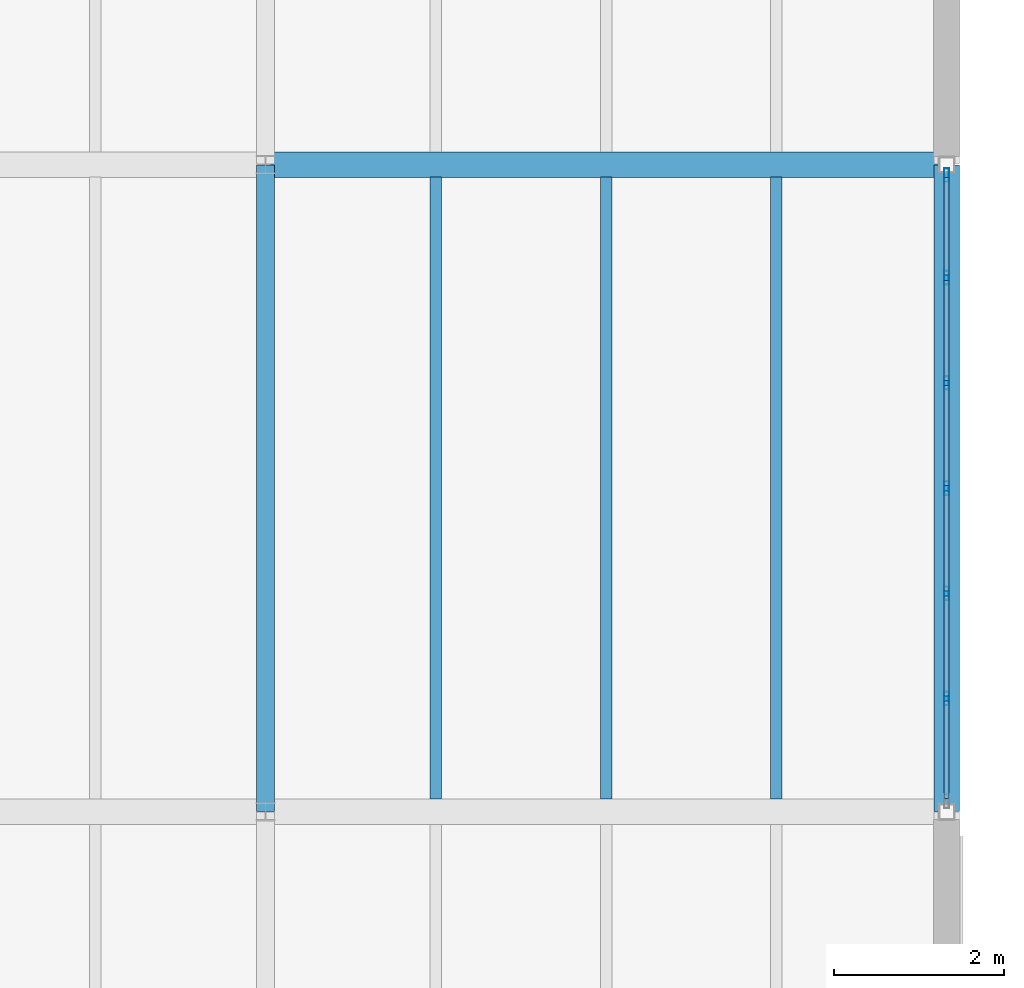
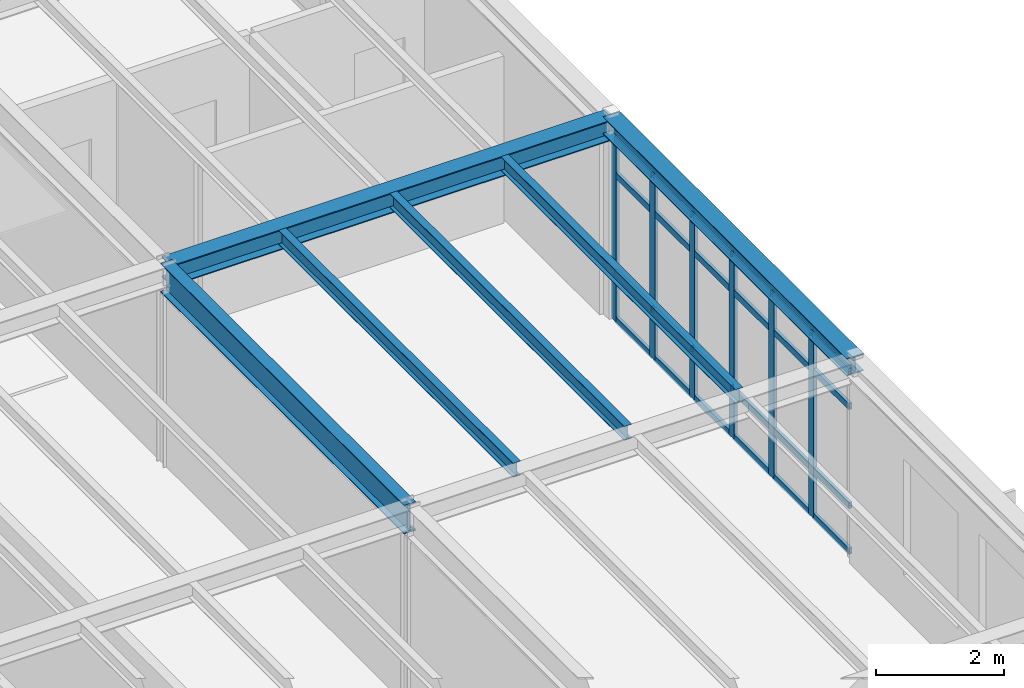
# One storey, part 33 of 65: 30 members, 6 beams, 1 element without a shape of its own.
"""IFC4 building model written with IfcOpenShell, lengths in metres."""

from ifc_helpers import new_model, si_unit, direction, frame, origin, origin_2d, place, context, subcontext, project, spatial, hollow_rectangle, i_section, extrude, material, layer, layer_set, material_profile, profile_set, type_object, element, aggregate, save


model = new_model("IFC4")

# Units and contexts
model_context = context("Model", 3, precision=1e-05, world=origin(), true_north=direction((0.0, 1.0)))
body_context = subcontext(model_context, "Body", "Model", "MODEL_VIEW")
ifc_project = project(units=[si_unit("LENGTHUNIT", "METRE"), si_unit("AREAUNIT", "SQUARE_METRE"), si_unit("VOLUMEUNIT", "CUBIC_METRE"), si_unit("PLANEANGLEUNIT", "RADIAN"), si_unit("MASSUNIT", "GRAM", prefix="KILO")], contexts=[model_context])

# Site, building, storey
site_placement = place(None, origin())
site = spatial("IfcSite", under=ifc_project, at=site_placement, CompositionType="ELEMENT")
building_placement = place(site_placement, origin())
building = spatial("IfcBuilding", under=site, at=building_placement, Name="Montecoro Central Library", CompositionType="ELEMENT")
storey_placement = place(building_placement, frame((0.0, 0.0, 17.340087890625)))
storey = spatial("IfcBuildingStorey", under=building, at=storey_placement, Name="L04", CompositionType="ELEMENT", Elevation=17.340087890625)

# Beams
ifc_material_1 = material(Name="Steel S355", Category="steel")
ifc_material_profile_1 = material_profile(ifc_material_1, i_section(OverallWidth=0.300048828125, OverallDepth=0.389892578125, WebThickness=0.010986328125, FlangeThickness=0.01904296875, at=origin_2d()), Name="HEA 400")
ifc_profile_set_1 = profile_set([ifc_material_profile_1], Name="Steel S355")
beam_type_1 = type_object("IfcBeamType", Name="BM-G-HEA400", PredefinedType="USERDEFINED", material=ifc_profile_set_1)
beam_1_placement = place(storey_placement, frame((165.0048828125, 27.800048828125, 3.6298828125), z_axis=(1.0, 0.0, 0.0), x_axis=(0.0, 1.0, 0.0)))
element("IfcBeam", 1, at=beam_1_placement, inside=storey, type_object=beam_type_1, Name="V6-L04-BX-2122-D", ObjectType="GIRDER", PredefinedType="USERDEFINED", context=body_context, shape_type="SweptSolid", body=[
    extrude(i_section(OverallWidth=0.300048828125, OverallDepth=0.389892578125, WebThickness=0.010986328125, FlangeThickness=0.01904296875, at=origin_2d()), origin(), (0.0, 0.0, 1.0), 7.990234375),
])
ifc_material_2 = material(Name="Steel S355J2", Category="steel")
ifc_material_profile_2 = material_profile(ifc_material_2, i_section(OverallWidth=0.2099609375, OverallDepth=0.550048828125, WebThickness=0.010986328125, FlangeThickness=0.01708984375, at=origin_2d()), Name="IPE 550")
ifc_profile_set_2 = profile_set([ifc_material_profile_2], Name="Steel S355J2")
beam_type_2 = type_object("IfcBeamType", Name="BM-G-IPE550", PredefinedType="USERDEFINED", material=ifc_profile_set_2)
beam_2_placement = place(storey_placement, frame((165.0, 20.205078125, 3.5498046875), z_axis=(0.0, 1.0, 0.0), x_axis=(-1.0, 0.0, 0.0)))
element("IfcBeam", 2, at=beam_2_placement, inside=storey, type_object=beam_type_2, Name="V6-L04-BY-21-CD", ObjectType="GIRDER", PredefinedType="USERDEFINED", context=body_context, shape_type="SweptSolid", body=[
    extrude(i_section(OverallWidth=0.2099609375, OverallDepth=0.550048828125, WebThickness=0.010986328125, FlangeThickness=0.01708984375, at=origin_2d()), origin(), (0.0, 0.0, 1.0), 7.58984375),
])
ifc_material_profile_3 = material_profile(ifc_material_1, i_section(OverallWidth=0.135009765625, OverallDepth=0.27001953125, WebThickness=0.006591796875, FlangeThickness=0.01025390625, at=origin_2d()), Name="IPE 270")
ifc_profile_set_3 = profile_set([ifc_material_profile_3], Name="Steel S355")
beam_type_3 = type_object("IfcBeamType", Name="BM-J-IPE270", PredefinedType="JOIST", material=ifc_profile_set_3)
for number, where, z_axis, x_axis, name in (
    (3, (167.0, 20.346923828125, 3.68994140625), (0.0, 1.0, 0.0), (-1.0, 0.0, 0.0), "V6-L04-JS-2122-CD-1"),
    (4, (169.0, 20.346923828125, 3.68994140625), (0.0, 1.0, 0.0), (-1.0, 0.0, 0.0), "V6-L04-JS-2122-CD-2"),
    (5, (171.0, 20.346923828125, 3.68994140625), (0.0, 1.0, 0.0), (-1.0, 0.0, 0.0), "V6-L04-JS-2122-CD-3"),
):
    element("IfcBeam", number, at=place(storey_placement, frame(where, z_axis=z_axis, x_axis=x_axis)), inside=storey, type_object=beam_type_3, Name=name, PredefinedType="JOIST", context=body_context, shape_type="SweptSolid", body=[
        extrude(i_section(OverallWidth=0.135009765625, OverallDepth=0.27001953125, WebThickness=0.006591796875, FlangeThickness=0.01025390625, at=origin_2d()), origin(), (0.0, 0.0, 1.0), 7.30615234375),
    ])
ifc_material_profile_4 = material_profile(ifc_material_1, i_section(OverallWidth=0.300048828125, OverallDepth=0.330078125, WebThickness=0.009521484375, FlangeThickness=0.0166015625, at=origin_2d()), Name="HEA 340")
ifc_profile_set_4 = profile_set([ifc_material_profile_4], Name="Steel S355")
beam_type_4 = type_object("IfcBeamType", Name="BM-SP-HEA340", PredefinedType="SPANDREL", material=ifc_profile_set_4)
beam_3_placement = place(storey_placement, frame((173.0, 20.205078125, 3.659912109375), z_axis=(0.0, 1.0, 0.0), x_axis=(-1.0, 0.0, 0.0)))
element("IfcBeam", 6, at=beam_3_placement, inside=storey, type_object=beam_type_4, Name="V6-L04-BY-22-CD", PredefinedType="SPANDREL", context=body_context, shape_type="SweptSolid", body=[
    extrude(i_section(OverallWidth=0.300048828125, OverallDepth=0.330078125, WebThickness=0.009521484375, FlangeThickness=0.0166015625, at=origin_2d()), origin(), (0.0, 0.0, 1.0), 7.58984375),
])

# Curtain wall, members
ifc_material_3 = material(Name="Bronze-anodised aluminium and low-E glazing", Category="aluminium")
ifc_layer = layer(ifc_material_3, 0.159912109375)
ifc_layer_set = layer_set([ifc_layer], Name="Bronze-anodised aluminium and low-E glazing")
curtain_wall_type = type_object("IfcCurtainWallType", Name="CWT-073", PredefinedType="NOTDEFINED", material=ifc_layer_set)
curtain_wall_placement = place(storey_placement, origin())
curtain_wall = element("IfcCurtainWall", 7, at=curtain_wall_placement, inside=storey, type_object=curtain_wall_type, Name="V6-L04-CW-E2", PredefinedType="NOTDEFINED")
ifc_material_4 = material(Name="Bronze-anodised aluminium", Category="aluminium")
ifc_material_profile_5 = material_profile(ifc_material_4, hollow_rectangle(XDim=0.06005859375, YDim=0.159912109375, WallThickness=0.00390625, at=origin_2d()), Name="CWM 160x60x4.0")
ifc_profile_set_5 = profile_set([ifc_material_profile_5], Name="Bronze-anodised aluminium")
member_type_1 = type_object("IfcMemberType", Name="CWM-BRZ-60", PredefinedType="MULLION", material=ifc_profile_set_5)
member_1_placement = place(storey_placement, frame((173.0, 21.528564453125, 0.0), z_axis=(0.0, 0.0, 1.0), x_axis=(-1.0, 0.0, 0.0)))
member_1 = element("IfcMember", 8, at=member_1_placement, type_object=member_type_1, Name="CW-073 mullion 2", PredefinedType="MULLION", context=body_context, shape_type="SweptSolid", body=[
    extrude(hollow_rectangle(XDim=0.06005859375, YDim=0.159912109375, WallThickness=0.00390625, at=origin_2d()), origin(), (0.0, 0.0, 1.0), 3.47998046875),
])
member_2_placement = place(storey_placement, frame((173.0, 22.764404296875, 0.0), z_axis=(0.0, 0.0, 1.0), x_axis=(-1.0, 0.0, 0.0)))
member_2 = element("IfcMember", 9, at=member_2_placement, type_object=member_type_1, Name="CW-073 mullion 3", PredefinedType="MULLION", context=body_context, shape_type="SweptSolid", body=[
    extrude(hollow_rectangle(XDim=0.06005859375, YDim=0.159912109375, WallThickness=0.00390625, at=origin_2d()), origin(), (0.0, 0.0, 1.0), 3.47998046875),
])
member_3_placement = place(storey_placement, frame((173.0, 24.0, 0.0), z_axis=(0.0, 0.0, 1.0), x_axis=(-1.0, 0.0, 0.0)))
member_3 = element("IfcMember", 10, at=member_3_placement, type_object=member_type_1, Name="CW-073 mullion 4", PredefinedType="MULLION", context=body_context, shape_type="SweptSolid", body=[
    extrude(hollow_rectangle(XDim=0.06005859375, YDim=0.159912109375, WallThickness=0.00390625, at=origin_2d()), origin(), (0.0, 0.0, 1.0), 3.47998046875),
])
member_4_placement = place(storey_placement, frame((173.0, 25.235595703125, 0.0), z_axis=(0.0, 0.0, 1.0), x_axis=(-1.0, 0.0, 0.0)))
member_4 = element("IfcMember", 11, at=member_4_placement, type_object=member_type_1, Name="CW-073 mullion 5", PredefinedType="MULLION", context=body_context, shape_type="SweptSolid", body=[
    extrude(hollow_rectangle(XDim=0.06005859375, YDim=0.159912109375, WallThickness=0.00390625, at=origin_2d()), origin(), (0.0, 0.0, 1.0), 3.47998046875),
])
member_5_placement = place(storey_placement, frame((173.0, 26.471435546875, 0.0), z_axis=(0.0, 0.0, 1.0), x_axis=(-1.0, 0.0, 0.0)))
member_5 = element("IfcMember", 12, at=member_5_placement, type_object=member_type_1, Name="CW-073 mullion 6", PredefinedType="MULLION", context=body_context, shape_type="SweptSolid", body=[
    extrude(hollow_rectangle(XDim=0.06005859375, YDim=0.159912109375, WallThickness=0.00390625, at=origin_2d()), origin(), (0.0, 0.0, 1.0), 3.47998046875),
])
member_6_placement = place(storey_placement, frame((173.0, 27.677001953125, 0.0), z_axis=(0.0, 0.0, 1.0), x_axis=(-1.0, 0.0, 0.0)))
member_6 = element("IfcMember", 13, at=member_6_placement, type_object=member_type_1, Name="CW-073 mullion 7", PredefinedType="MULLION", context=body_context, shape_type="SweptSolid", body=[
    extrude(hollow_rectangle(XDim=0.06005859375, YDim=0.159912109375, WallThickness=0.00390625, at=origin_2d()), origin(), (0.0, 0.0, 1.0), 3.47998046875),
])
ifc_material_profile_6 = material_profile(ifc_material_4, hollow_rectangle(XDim=0.06005859375, YDim=0.1201171875, WallThickness=0.00390625, at=origin_2d()), Name="CWT 120x60x4.0")
ifc_profile_set_6 = profile_set([ifc_material_profile_6], Name="Bronze-anodised aluminium")
member_type_2 = type_object("IfcMemberType", Name="CWT-BRZ-60", PredefinedType="USERDEFINED", material=ifc_profile_set_6)
member_7_placement = place(storey_placement, frame((173.0, 20.35302734375, 0.030029296875), z_axis=(0.0, 1.0, 0.0), x_axis=(-1.0, 0.0, 0.0)))
member_7 = element("IfcMember", 14, at=member_7_placement, type_object=member_type_2, Name="CW-073 transom 1.1", ObjectType="TRANSOM", PredefinedType="USERDEFINED", context=body_context, shape_type="SweptSolid", body=[
    extrude(hollow_rectangle(XDim=0.06005859375, YDim=0.1201171875, WallThickness=0.00390625, at=origin_2d()), origin(), (0.0, 0.0, 1.0), 1.145751953125),
])
member_8_placement = place(storey_placement, frame((173.0, 20.35302734375, 0.89990234375), z_axis=(0.0, 1.0, 0.0), x_axis=(-1.0, 0.0, 0.0)))
member_8 = element("IfcMember", 15, at=member_8_placement, type_object=member_type_2, Name="CW-073 transom 1.2", ObjectType="TRANSOM", PredefinedType="USERDEFINED", context=body_context, shape_type="SweptSolid", body=[
    extrude(hollow_rectangle(XDim=0.06005859375, YDim=0.1201171875, WallThickness=0.00390625, at=origin_2d()), origin(), (0.0, 0.0, 1.0), 1.145751953125),
])
member_9_placement = place(storey_placement, frame((173.0, 20.35302734375, 2.780029296875), z_axis=(0.0, 1.0, 0.0), x_axis=(-1.0, 0.0, 0.0)))
member_9 = element("IfcMember", 16, at=member_9_placement, type_object=member_type_2, Name="CW-073 transom 1.3", ObjectType="TRANSOM", PredefinedType="USERDEFINED", context=body_context, shape_type="SweptSolid", body=[
    extrude(hollow_rectangle(XDim=0.06005859375, YDim=0.1201171875, WallThickness=0.00390625, at=origin_2d()), origin(), (0.0, 0.0, 1.0), 1.145751953125),
])
member_10_placement = place(storey_placement, frame((173.0, 20.35302734375, 3.449951171875), z_axis=(0.0, 1.0, 0.0), x_axis=(-1.0, 0.0, 0.0)))
member_10 = element("IfcMember", 17, at=member_10_placement, type_object=member_type_2, Name="CW-073 transom 1.4", ObjectType="TRANSOM", PredefinedType="USERDEFINED", context=body_context, shape_type="SweptSolid", body=[
    extrude(hollow_rectangle(XDim=0.06005859375, YDim=0.1201171875, WallThickness=0.00390625, at=origin_2d()), origin(), (0.0, 0.0, 1.0), 1.145751953125),
])
member_11_placement = place(storey_placement, frame((173.0, 21.55859375, 0.030029296875), z_axis=(0.0, 1.0, 0.0), x_axis=(-1.0, 0.0, 0.0)))
member_11 = element("IfcMember", 18, at=member_11_placement, type_object=member_type_2, Name="CW-073 transom 2.1", ObjectType="TRANSOM", PredefinedType="USERDEFINED", context=body_context, shape_type="SweptSolid", body=[
    extrude(hollow_rectangle(XDim=0.06005859375, YDim=0.1201171875, WallThickness=0.00390625, at=origin_2d()), origin(), (0.0, 0.0, 1.0), 1.17578125),
])
member_12_placement = place(storey_placement, frame((173.0, 21.55859375, 0.89990234375), z_axis=(0.0, 1.0, 0.0), x_axis=(-1.0, 0.0, 0.0)))
member_12 = element("IfcMember", 19, at=member_12_placement, type_object=member_type_2, Name="CW-073 transom 2.2", ObjectType="TRANSOM", PredefinedType="USERDEFINED", context=body_context, shape_type="SweptSolid", body=[
    extrude(hollow_rectangle(XDim=0.06005859375, YDim=0.1201171875, WallThickness=0.00390625, at=origin_2d()), origin(), (0.0, 0.0, 1.0), 1.17578125),
])
member_13_placement = place(storey_placement, frame((173.0, 21.55859375, 2.780029296875), z_axis=(0.0, 1.0, 0.0), x_axis=(-1.0, 0.0, 0.0)))
member_13 = element("IfcMember", 20, at=member_13_placement, type_object=member_type_2, Name="CW-073 transom 2.3", ObjectType="TRANSOM", PredefinedType="USERDEFINED", context=body_context, shape_type="SweptSolid", body=[
    extrude(hollow_rectangle(XDim=0.06005859375, YDim=0.1201171875, WallThickness=0.00390625, at=origin_2d()), origin(), (0.0, 0.0, 1.0), 1.17578125),
])
member_14_placement = place(storey_placement, frame((173.0, 21.55859375, 3.449951171875), z_axis=(0.0, 1.0, 0.0), x_axis=(-1.0, 0.0, 0.0)))
member_14 = element("IfcMember", 21, at=member_14_placement, type_object=member_type_2, Name="CW-073 transom 2.4", ObjectType="TRANSOM", PredefinedType="USERDEFINED", context=body_context, shape_type="SweptSolid", body=[
    extrude(hollow_rectangle(XDim=0.06005859375, YDim=0.1201171875, WallThickness=0.00390625, at=origin_2d()), origin(), (0.0, 0.0, 1.0), 1.17578125),
])
member_15_placement = place(storey_placement, frame((173.0, 22.79443359375, 0.030029296875), z_axis=(0.0, 1.0, 0.0), x_axis=(-1.0, 0.0, 0.0)))
member_15 = element("IfcMember", 22, at=member_15_placement, type_object=member_type_2, Name="CW-073 transom 3.1", ObjectType="TRANSOM", PredefinedType="USERDEFINED", context=body_context, shape_type="SweptSolid", body=[
    extrude(hollow_rectangle(XDim=0.06005859375, YDim=0.1201171875, WallThickness=0.00390625, at=origin_2d()), origin(), (0.0, 0.0, 1.0), 1.175537109375),
])
member_16_placement = place(storey_placement, frame((173.0, 22.79443359375, 0.89990234375), z_axis=(0.0, 1.0, 0.0), x_axis=(-1.0, 0.0, 0.0)))
member_16 = element("IfcMember", 23, at=member_16_placement, type_object=member_type_2, Name="CW-073 transom 3.2", ObjectType="TRANSOM", PredefinedType="USERDEFINED", context=body_context, shape_type="SweptSolid", body=[
    extrude(hollow_rectangle(XDim=0.06005859375, YDim=0.1201171875, WallThickness=0.00390625, at=origin_2d()), origin(), (0.0, 0.0, 1.0), 1.175537109375),
])
member_17_placement = place(storey_placement, frame((173.0, 22.79443359375, 2.780029296875), z_axis=(0.0, 1.0, 0.0), x_axis=(-1.0, 0.0, 0.0)))
member_17 = element("IfcMember", 24, at=member_17_placement, type_object=member_type_2, Name="CW-073 transom 3.3", ObjectType="TRANSOM", PredefinedType="USERDEFINED", context=body_context, shape_type="SweptSolid", body=[
    extrude(hollow_rectangle(XDim=0.06005859375, YDim=0.1201171875, WallThickness=0.00390625, at=origin_2d()), origin(), (0.0, 0.0, 1.0), 1.175537109375),
])
member_18_placement = place(storey_placement, frame((173.0, 22.79443359375, 3.449951171875), z_axis=(0.0, 1.0, 0.0), x_axis=(-1.0, 0.0, 0.0)))
member_18 = element("IfcMember", 25, at=member_18_placement, type_object=member_type_2, Name="CW-073 transom 3.4", ObjectType="TRANSOM", PredefinedType="USERDEFINED", context=body_context, shape_type="SweptSolid", body=[
    extrude(hollow_rectangle(XDim=0.06005859375, YDim=0.1201171875, WallThickness=0.00390625, at=origin_2d()), origin(), (0.0, 0.0, 1.0), 1.175537109375),
])
member_19_placement = place(storey_placement, frame((173.0, 24.030029296875, 0.030029296875), z_axis=(0.0, 1.0, 0.0), x_axis=(-1.0, 0.0, 0.0)))
member_19 = element("IfcMember", 26, at=member_19_placement, type_object=member_type_2, Name="CW-073 transom 4.1", ObjectType="TRANSOM", PredefinedType="USERDEFINED", context=body_context, shape_type="SweptSolid", body=[
    extrude(hollow_rectangle(XDim=0.06005859375, YDim=0.1201171875, WallThickness=0.00390625, at=origin_2d()), origin(), (0.0, 0.0, 1.0), 1.175537109375),
])
member_20_placement = place(storey_placement, frame((173.0, 24.030029296875, 0.89990234375), z_axis=(0.0, 1.0, 0.0), x_axis=(-1.0, 0.0, 0.0)))
member_20 = element("IfcMember", 27, at=member_20_placement, type_object=member_type_2, Name="CW-073 transom 4.2", ObjectType="TRANSOM", PredefinedType="USERDEFINED", context=body_context, shape_type="SweptSolid", body=[
    extrude(hollow_rectangle(XDim=0.06005859375, YDim=0.1201171875, WallThickness=0.00390625, at=origin_2d()), origin(), (0.0, 0.0, 1.0), 1.175537109375),
])
member_21_placement = place(storey_placement, frame((173.0, 24.030029296875, 2.780029296875), z_axis=(0.0, 1.0, 0.0), x_axis=(-1.0, 0.0, 0.0)))
member_21 = element("IfcMember", 28, at=member_21_placement, type_object=member_type_2, Name="CW-073 transom 4.3", ObjectType="TRANSOM", PredefinedType="USERDEFINED", context=body_context, shape_type="SweptSolid", body=[
    extrude(hollow_rectangle(XDim=0.06005859375, YDim=0.1201171875, WallThickness=0.00390625, at=origin_2d()), origin(), (0.0, 0.0, 1.0), 1.175537109375),
])
member_22_placement = place(storey_placement, frame((173.0, 24.030029296875, 3.449951171875), z_axis=(0.0, 1.0, 0.0), x_axis=(-1.0, 0.0, 0.0)))
member_22 = element("IfcMember", 29, at=member_22_placement, type_object=member_type_2, Name="CW-073 transom 4.4", ObjectType="TRANSOM", PredefinedType="USERDEFINED", context=body_context, shape_type="SweptSolid", body=[
    extrude(hollow_rectangle(XDim=0.06005859375, YDim=0.1201171875, WallThickness=0.00390625, at=origin_2d()), origin(), (0.0, 0.0, 1.0), 1.175537109375),
])
member_23_placement = place(storey_placement, frame((173.0, 25.265625, 0.030029296875), z_axis=(0.0, 1.0, 0.0), x_axis=(-1.0, 0.0, 0.0)))
member_23 = element("IfcMember", 30, at=member_23_placement, type_object=member_type_2, Name="CW-073 transom 5.1", ObjectType="TRANSOM", PredefinedType="USERDEFINED", context=body_context, shape_type="SweptSolid", body=[
    extrude(hollow_rectangle(XDim=0.06005859375, YDim=0.1201171875, WallThickness=0.00390625, at=origin_2d()), origin(), (0.0, 0.0, 1.0), 1.17578125),
])
member_24_placement = place(storey_placement, frame((173.0, 25.265625, 0.89990234375), z_axis=(0.0, 1.0, 0.0), x_axis=(-1.0, 0.0, 0.0)))
member_24 = element("IfcMember", 31, at=member_24_placement, type_object=member_type_2, Name="CW-073 transom 5.2", ObjectType="TRANSOM", PredefinedType="USERDEFINED", context=body_context, shape_type="SweptSolid", body=[
    extrude(hollow_rectangle(XDim=0.06005859375, YDim=0.1201171875, WallThickness=0.00390625, at=origin_2d()), origin(), (0.0, 0.0, 1.0), 1.17578125),
])
member_25_placement = place(storey_placement, frame((173.0, 25.265625, 2.780029296875), z_axis=(0.0, 1.0, 0.0), x_axis=(-1.0, 0.0, 0.0)))
member_25 = element("IfcMember", 32, at=member_25_placement, type_object=member_type_2, Name="CW-073 transom 5.3", ObjectType="TRANSOM", PredefinedType="USERDEFINED", context=body_context, shape_type="SweptSolid", body=[
    extrude(hollow_rectangle(XDim=0.06005859375, YDim=0.1201171875, WallThickness=0.00390625, at=origin_2d()), origin(), (0.0, 0.0, 1.0), 1.17578125),
])
member_26_placement = place(storey_placement, frame((173.0, 25.265625, 3.449951171875), z_axis=(0.0, 1.0, 0.0), x_axis=(-1.0, 0.0, 0.0)))
member_26 = element("IfcMember", 33, at=member_26_placement, type_object=member_type_2, Name="CW-073 transom 5.4", ObjectType="TRANSOM", PredefinedType="USERDEFINED", context=body_context, shape_type="SweptSolid", body=[
    extrude(hollow_rectangle(XDim=0.06005859375, YDim=0.1201171875, WallThickness=0.00390625, at=origin_2d()), origin(), (0.0, 0.0, 1.0), 1.17578125),
])
member_27_placement = place(storey_placement, frame((173.0, 26.501220703125, 0.030029296875), z_axis=(0.0, 1.0, 0.0), x_axis=(-1.0, 0.0, 0.0)))
member_27 = element("IfcMember", 34, at=member_27_placement, type_object=member_type_2, Name="CW-073 transom 6.1", ObjectType="TRANSOM", PredefinedType="USERDEFINED", context=body_context, shape_type="SweptSolid", body=[
    extrude(hollow_rectangle(XDim=0.06005859375, YDim=0.1201171875, WallThickness=0.00390625, at=origin_2d()), origin(), (0.0, 0.0, 1.0), 1.145751953125),
])
member_28_placement = place(storey_placement, frame((173.0, 26.501220703125, 0.89990234375), z_axis=(0.0, 1.0, 0.0), x_axis=(-1.0, 0.0, 0.0)))
member_28 = element("IfcMember", 35, at=member_28_placement, type_object=member_type_2, Name="CW-073 transom 6.2", ObjectType="TRANSOM", PredefinedType="USERDEFINED", context=body_context, shape_type="SweptSolid", body=[
    extrude(hollow_rectangle(XDim=0.06005859375, YDim=0.1201171875, WallThickness=0.00390625, at=origin_2d()), origin(), (0.0, 0.0, 1.0), 1.145751953125),
])
member_29_placement = place(storey_placement, frame((173.0, 26.501220703125, 2.780029296875), z_axis=(0.0, 1.0, 0.0), x_axis=(-1.0, 0.0, 0.0)))
member_29 = element("IfcMember", 36, at=member_29_placement, type_object=member_type_2, Name="CW-073 transom 6.3", ObjectType="TRANSOM", PredefinedType="USERDEFINED", context=body_context, shape_type="SweptSolid", body=[
    extrude(hollow_rectangle(XDim=0.06005859375, YDim=0.1201171875, WallThickness=0.00390625, at=origin_2d()), origin(), (0.0, 0.0, 1.0), 1.145751953125),
])
member_30_placement = place(storey_placement, frame((173.0, 26.501220703125, 3.449951171875), z_axis=(0.0, 1.0, 0.0), x_axis=(-1.0, 0.0, 0.0)))
member_30 = element("IfcMember", 37, at=member_30_placement, type_object=member_type_2, Name="CW-073 transom 6.4", ObjectType="TRANSOM", PredefinedType="USERDEFINED", context=body_context, shape_type="SweptSolid", body=[
    extrude(hollow_rectangle(XDim=0.06005859375, YDim=0.1201171875, WallThickness=0.00390625, at=origin_2d()), origin(), (0.0, 0.0, 1.0), 1.145751953125),
])
aggregate(curtain_wall, [member_1, member_2, member_3, member_4, member_5, member_6, member_7, member_8, member_9, member_10, member_11, member_12, member_13, member_14, member_15, member_16, member_17, member_18, member_19, member_20, member_21, member_22, member_23, member_24, member_25, member_26, member_27, member_28, member_29, member_30])

save(model, "model.ifc")
